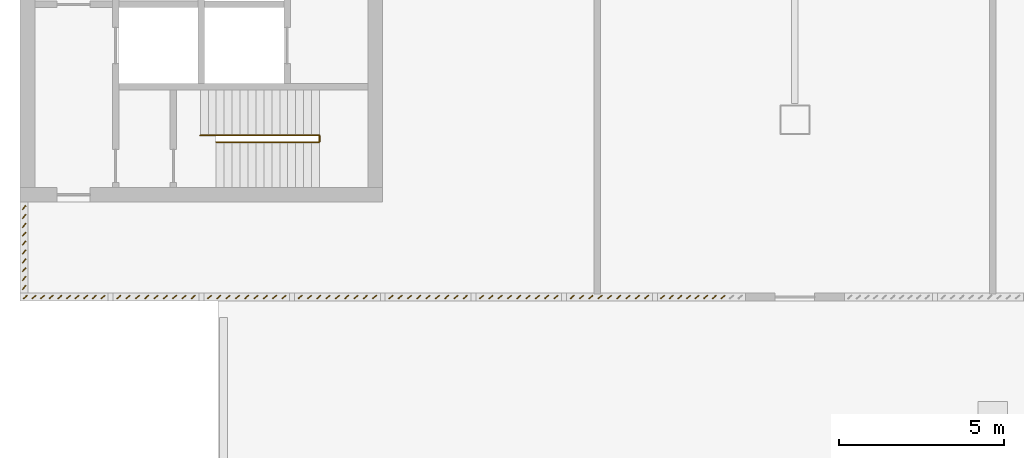
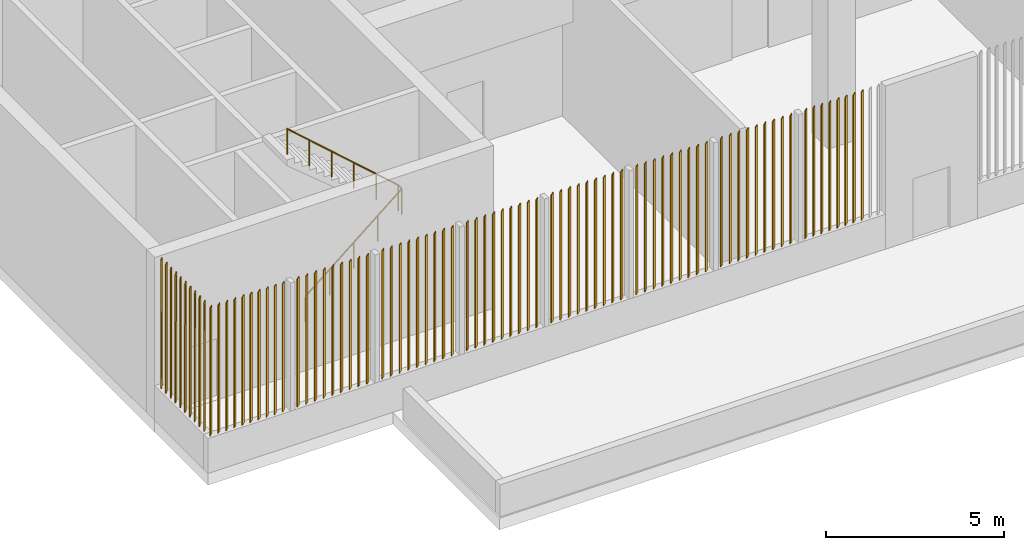
# One storey, part 4 of 9: 82 shading devices, 1 railing.
"""IFC4 building model written with IfcOpenShell, lengths in metres."""

import ifcopenshell
import ifcopenshell.guid

model = None  # the IFC model being written
_history = None  # IfcOwnerHistory: only IFC2X3 demands one
_inside = {}  # id of a spatial element -> (the spatial element, [elements in it])
_under = {}  # id of a project, library or spatial element -> (it, [spatial elements below it])
_declared = {}  # id of a project -> (the project, [libraries it declares])
_typed = {}  # id of a type object -> (the type object, [elements of that type])
_made_of = {}  # id of a material, layer set ... -> (it, [elements and type objects made of it])


def new_model(schema):
    """Start an empty IFC model of exactly this schema.

    Asked for "IFC4X3", IfcOpenShell would pick the latest addendum, in which some entities
    have other attributes; the version numbers below select the first issue.
    IFC2X3 requires an IfcOwnerHistory on every rooted entity: one is made here for all.
    """
    global model, _history
    if schema == "IFC4X3":
        model = ifcopenshell.file(schema_version=(4, 3, 0, 0))
    else:
        model = ifcopenshell.file(schema=schema)
    _inside.clear()
    _under.clear()
    _declared.clear()
    _typed.clear()
    _made_of.clear()
    _history = None
    if model.schema == "IFC2X3":
        org = make("IfcOrganization", Name="unknown")
        user = make(
            "IfcPersonAndOrganization",
            ThePerson=make("IfcPerson", FamilyName="unknown"),
            TheOrganization=org,
        )
        app = make(
            "IfcApplication",
            ApplicationDeveloper=org,
            Version="unknown",
            ApplicationFullName="unknown",
            ApplicationIdentifier="unknown",
        )
        _history = make(
            "IfcOwnerHistory",
            OwningUser=user,
            OwningApplication=app,
            ChangeAction="ADDED",
            CreationDate=0,
        )
    return model


def make(cls, **values):
    """One entity of the class cls with the attributes given. An attribute that is None is left unset."""
    return model.create_entity(
        cls, **{name: value for name, value in values.items() if value is not None}
    )


def rooted(cls, **values):
    """An entity with a GlobalId (a new one), such as an element, a storey or a relation."""
    return make(cls, GlobalId=ifcopenshell.guid.new(), OwnerHistory=_history, **values)


def si_unit(unit_type, name, prefix=None):
    """IfcSIUnit, for example si_unit("LENGTHUNIT", "METRE", prefix="MILLI")."""
    return make("IfcSIUnit", UnitType=unit_type, Prefix=prefix, Name=name)


def assignment(units):
    """IfcUnitAssignment: the units of a project."""
    return None if units is None else make("IfcUnitAssignment", Units=units)


def point(xyz):
    """IfcCartesianPoint."""
    return None if xyz is None else make("IfcCartesianPoint", Coordinates=xyz)


def direction(xyz):
    """IfcDirection."""
    return None if xyz is None else make("IfcDirection", DirectionRatios=xyz)


def frame(location, z_axis=None, x_axis=None):
    """IfcAxis2Placement3D, a coordinate frame: its origin and axes. An axis left out is left unset."""
    return make(
        "IfcAxis2Placement3D",
        Location=point(location),
        Axis=direction(z_axis),
        RefDirection=direction(x_axis),
    )


def frame_2d(location, x_axis=None):
    """IfcAxis2Placement2D, a coordinate frame in the plane: its origin and x axis."""
    return make(
        "IfcAxis2Placement2D", Location=point(location), RefDirection=direction(x_axis)
    )


def origin():
    """The frame at (0, 0, 0) with its axes left unset."""
    return frame((0.0, 0.0, 0.0))


def origin_2d():
    """The frame at (0, 0) in the plane with its x axis left unset."""
    return frame_2d((0.0, 0.0))


def place(relative_to, where):
    """IfcLocalPlacement: puts the frame where relative to a parent placement (None: the world)."""
    return make(
        "IfcLocalPlacement", PlacementRelTo=relative_to, RelativePlacement=where
    )


def context(
    kind, dimensions, precision=None, world=None, true_north=None, identifier=None
):
    """IfcGeometricRepresentationContext, for example the 3D "Model" context."""
    return make(
        "IfcGeometricRepresentationContext",
        ContextIdentifier=identifier,
        ContextType=kind,
        CoordinateSpaceDimension=dimensions,
        Precision=precision,
        WorldCoordinateSystem=world,
        TrueNorth=true_north,
    )


def subcontext(parent, identifier, kind, view, scale=None):
    """IfcGeometricRepresentationSubContext, for example "Body" below "Model"."""
    return make(
        "IfcGeometricRepresentationSubContext",
        ContextIdentifier=identifier,
        ContextType=kind,
        ParentContext=parent,
        TargetScale=scale,
        TargetView=view,
    )


def project(units=None, contexts=None):
    """IfcProject with its units and contexts."""
    return rooted(
        "IfcProject",
        Name="project",
        RepresentationContexts=contexts,
        UnitsInContext=assignment(units),
    )


def spatial(cls, under=None, at=None, **own):
    """A site, building, storey or space (cls), placed at a placement, below another one or the project."""
    s = rooted(cls, ObjectPlacement=at, **own)
    if under is not None:
        _under.setdefault(under.id(), (under, []))[1].append(s)
    return s


def profile(cls, at=None, kind="AREA", **sizes):
    """A parametric profile (cls). Its sizes go by their IFC names, for example OverallWidth=200.0."""
    return make(cls, ProfileType=kind, Position=at, **sizes)


def rectangle(**sizes):
    """IfcRectangleProfileDef."""
    return profile("IfcRectangleProfileDef", **sizes)


def circle(**sizes):
    """IfcCircleProfileDef."""
    return profile("IfcCircleProfileDef", **sizes)


def extrude(swept, where, along, depth):
    """IfcExtrudedAreaSolid: the profile swept, set in the frame where, extruded along a direction by depth."""
    return make(
        "IfcExtrudedAreaSolid",
        SweptArea=swept,
        Position=where,
        ExtrudedDirection=direction(along),
        Depth=depth,
    )


def shape(context_of_items, identifier, shape_type, items):
    """IfcShapeRepresentation: the items that make up one representation, for example the "Body"."""
    return make(
        "IfcShapeRepresentation",
        ContextOfItems=context_of_items,
        RepresentationIdentifier=identifier,
        RepresentationType=shape_type,
        Items=items,
    )


def material(Name=None, Category=None):
    """IfcMaterial."""
    return make("IfcMaterial", Name=Name, Category=Category)


def material_profile(
    of_material, cross_section, Name=None, Category=None, Priority=None
):
    """IfcMaterialProfile: a cross section and its material."""
    return make(
        "IfcMaterialProfile",
        Name=Name,
        Material=of_material,
        Profile=cross_section,
        Priority=Priority,
        Category=Category,
    )


def profile_set(profiles, Name=None, composite=None):
    """IfcMaterialProfileSet."""
    return make(
        "IfcMaterialProfileSet",
        Name=Name,
        MaterialProfiles=profiles,
        CompositeProfile=composite,
    )


def made_of(thing, what):
    """Note that an element or type object is made of a material, layer set ...; save() writes the relation."""
    if what is not None:
        _made_of.setdefault(what.id(), (what, []))[1].append(thing)
    return thing


def type_object(cls, material=None, **own):
    """A type object (cls), such as IfcWallType, which elements share."""
    return made_of(rooted(cls, **own), material)


def element(
    cls,
    number,
    at=None,
    inside=None,
    cuts=None,
    type_object=None,
    material=None,
    context=None,
    identifier="Body",
    shape_type=None,
    held_by="IfcProductDefinitionShape",
    body=None,
    shapes=None,
    **own,
):
    """One element of the class cls, such as IfcWall. Its Tag is "e" and its number.

    at: its placement. inside: the storey or other place that contains it. cuts: it is an
    opening in that element (IfcRelVoidsElement). A single representation is given by context,
    identifier, shape_type and body (its items); several are given by shapes. held_by: the class
    of the entity that holds the representations. save() writes the other relations.
    """
    e = rooted(cls, Tag="e%d" % number, ObjectPlacement=at, **own)
    if body is not None:
        shapes = [shape(context, identifier, shape_type, body)]
    if shapes is not None:
        e.Representation = make(held_by, Representations=shapes)
    if inside is not None:
        _inside.setdefault(inside.id(), (inside, []))[1].append(e)
    if cuts is not None:
        rooted(
            "IfcRelVoidsElement", RelatingBuildingElement=cuts, RelatedOpeningElement=e
        )
    if type_object is not None:
        _typed.setdefault(type_object.id(), (type_object, []))[1].append(e)
    return made_of(e, material)


def aggregate(whole, parts):
    """IfcRelAggregates: a whole, such as a stair, and the parts it consists of."""
    return rooted("IfcRelAggregates", RelatingObject=whole, RelatedObjects=parts)


def save(model, path):
    """Write the relations noted so far, then the file.

    IfcRelAggregates (storeys below a building ...), IfcRelContainedInSpatialStructure (elements
    in a storey), IfcRelDefinesByType, IfcRelAssociatesMaterial and IfcRelDeclares: one each for
    every whole, place, type object, material and project.
    """
    for whole, parts in _under.values():
        aggregate(whole, parts)
    for where, things in _inside.values():
        rooted(
            "IfcRelContainedInSpatialStructure",
            RelatedElements=things,
            RelatingStructure=where,
        )
    for kind, things in _typed.values():
        rooted("IfcRelDefinesByType", RelatedObjects=things, RelatingType=kind)
    for what, things in _made_of.values():
        rooted("IfcRelAssociatesMaterial", RelatedObjects=things, RelatingMaterial=what)
    for by, libraries in _declared.values():
        rooted("IfcRelDeclares", RelatingContext=by, RelatedDefinitions=libraries)
    model.write(path)


model = new_model("IFC4")

# Units and contexts
model_context = context("Model", 3, precision=1e-05, world=origin(), true_north=direction((0.0, 1.0)))
body_context = subcontext(model_context, "Body", "Model", "MODEL_VIEW")
ifc_project = project(units=[si_unit("LENGTHUNIT", "METRE"), si_unit("AREAUNIT", "SQUARE_METRE"), si_unit("VOLUMEUNIT", "CUBIC_METRE"), si_unit("PLANEANGLEUNIT", "RADIAN"), si_unit("MASSUNIT", "GRAM", prefix="KILO")], contexts=[model_context])

# Site, building, storey
site_placement = place(None, origin())
site = spatial("IfcSite", under=ifc_project, at=site_placement, CompositionType="ELEMENT")
building_placement = place(site_placement, origin())
building = spatial("IfcBuilding", under=site, at=building_placement, Name="Kitamizu Gate Tower and Museum", CompositionType="ELEMENT")
storey_placement = place(building_placement, frame((0.0, 0.0, 283.35009765625)))
storey = spatial("IfcBuildingStorey", under=building, at=storey_placement, Name="L76", CompositionType="ELEMENT", Elevation=283.35009765625)

# Shading devices
ifc_material_1 = material(Name="Bronze anodised aluminium", Category="aluminium")
ifc_material_profile = material_profile(ifc_material_1, rectangle(XDim=0.14990234375, YDim=0.02490234375, at=origin_2d()), Name="AL 25x150")
ifc_profile_set = profile_set([ifc_material_profile], Name="Bronze anodised aluminium")
shading_device_type = type_object("IfcShadingDeviceType", Name="LOUVRE FIN LVF1 25x150", PredefinedType="JALOUSIE", material=ifc_profile_set)
for number, where, z_axis, x_axis, name in (
    (1, (12.66064453125, 18.625, 1.199951171875), (0.0, 0.0, 1.0), (0.766044443119, 0.642787609687, 0.0), "Louvre fin SA1-1"),
    (2, (12.92236328125, 18.625, 1.199951171875), (0.0, 0.0, 1.0), (0.766044443119, 0.642787609687, 0.0), "Louvre fin SA1-2"),
    (3, (13.183837890625, 18.625, 1.199951171875), (0.0, 0.0, 1.0), (0.766044443119, 0.642787609687, 0.0), "Louvre fin SA1-3"),
    (4, (13.4453125, 18.625, 1.199951171875), (0.0, 0.0, 1.0), (0.766044443119, 0.642787609687, 0.0), "Louvre fin SA1-4"),
    (5, (13.706787109375, 18.625, 1.199951171875), (0.0, 0.0, 1.0), (0.766044443119, 0.642787609687, 0.0), "Louvre fin SA1-5"),
    (6, (13.96826171875, 18.625, 1.199951171875), (0.0, 0.0, 1.0), (0.766044443119, 0.642787609687, 0.0), "Louvre fin SA1-6"),
    (7, (14.229736328125, 18.625, 1.199951171875), (0.0, 0.0, 1.0), (0.766044443119, 0.642787609687, 0.0), "Louvre fin SA1-7"),
    (8, (14.4912109375, 18.625, 1.199951171875), (0.0, 0.0, 1.0), (0.766044443119, 0.642787609687, 0.0), "Louvre fin SA1-8"),
    (9, (14.752685546875, 18.625, 1.199951171875), (0.0, 0.0, 1.0), (0.766044443119, 0.642787609687, 0.0), "Louvre fin SA1-9"),
    (10, (15.01416015625, 18.625, 1.199951171875), (0.0, 0.0, 1.0), (0.766044443119, 0.642787609687, 0.0), "Louvre fin SA1-10"),
    (11, (15.49609375, 18.625, 1.199951171875), (0.0, 0.0, 1.0), (0.766044443119, 0.642787609687, 0.0), "Louvre fin SA2-1"),
    (12, (15.7783203125, 18.625, 1.199951171875), (0.0, 0.0, 1.0), (0.766044443119, 0.642787609687, 0.0), "Louvre fin SA2-2"),
    (13, (16.060546875, 18.625, 1.199951171875), (0.0, 0.0, 1.0), (0.766044443119, 0.642787609687, 0.0), "Louvre fin SA2-3"),
    (14, (16.3427734375, 18.625, 1.199951171875), (0.0, 0.0, 1.0), (0.766044443119, 0.642787609687, 0.0), "Louvre fin SA2-4"),
    (15, (16.625, 18.625, 1.199951171875), (0.0, 0.0, 1.0), (0.766044443119, 0.642787609687, 0.0), "Louvre fin SA2-5"),
    (16, (16.9072265625, 18.625, 1.199951171875), (0.0, 0.0, 1.0), (0.766044443119, 0.642787609687, 0.0), "Louvre fin SA2-6"),
    (17, (17.189453125, 18.625, 1.199951171875), (0.0, 0.0, 1.0), (0.766044443119, 0.642787609687, 0.0), "Louvre fin SA2-7"),
    (18, (17.4716796875, 18.625, 1.199951171875), (0.0, 0.0, 1.0), (0.766044443119, 0.642787609687, 0.0), "Louvre fin SA2-8"),
    (19, (17.75390625, 18.625, 1.199951171875), (0.0, 0.0, 1.0), (0.766044443119, 0.642787609687, 0.0), "Louvre fin SA2-9"),
    (20, (18.24609375, 18.625, 1.199951171875), (0.0, 0.0, 1.0), (0.766044443119, 0.642787609687, 0.0), "Louvre fin SA3-1"),
    (21, (18.5283203125, 18.625, 1.199951171875), (0.0, 0.0, 1.0), (0.766044443119, 0.642787609687, 0.0), "Louvre fin SA3-2"),
    (22, (18.810546875, 18.625, 1.199951171875), (0.0, 0.0, 1.0), (0.766044443119, 0.642787609687, 0.0), "Louvre fin SA3-3"),
    (23, (19.0927734375, 18.625, 1.199951171875), (0.0, 0.0, 1.0), (0.766044443119, 0.642787609687, 0.0), "Louvre fin SA3-4"),
    (24, (19.375, 18.625, 1.199951171875), (0.0, 0.0, 1.0), (0.766044443119, 0.642787609687, 0.0), "Louvre fin SA3-5"),
    (25, (19.6572265625, 18.625, 1.199951171875), (0.0, 0.0, 1.0), (0.766044443119, 0.642787609687, 0.0), "Louvre fin SA3-6"),
    (26, (19.939453125, 18.625, 1.199951171875), (0.0, 0.0, 1.0), (0.766044443119, 0.642787609687, 0.0), "Louvre fin SA3-7"),
    (27, (20.2216796875, 18.625, 1.199951171875), (0.0, 0.0, 1.0), (0.766044443119, 0.642787609687, 0.0), "Louvre fin SA3-8"),
    (28, (20.50390625, 18.625, 1.199951171875), (0.0, 0.0, 1.0), (0.766044443119, 0.642787609687, 0.0), "Louvre fin SA3-9"),
    (29, (20.99609375, 18.625, 1.199951171875), (0.0, 0.0, 1.0), (0.766044443119, 0.642787609687, 0.0), "Louvre fin SA4-1"),
    (30, (21.2783203125, 18.625, 1.199951171875), (0.0, 0.0, 1.0), (0.766044443119, 0.642787609687, 0.0), "Louvre fin SA4-2"),
    (31, (21.560546875, 18.625, 1.199951171875), (0.0, 0.0, 1.0), (0.766044443119, 0.642787609687, 0.0), "Louvre fin SA4-3"),
    (32, (21.8427734375, 18.625, 1.199951171875), (0.0, 0.0, 1.0), (0.766044443119, 0.642787609687, 0.0), "Louvre fin SA4-4"),
    (33, (22.125, 18.625, 1.199951171875), (0.0, 0.0, 1.0), (0.766044443119, 0.642787609687, 0.0), "Louvre fin SA4-5"),
    (34, (22.4072265625, 18.625, 1.199951171875), (0.0, 0.0, 1.0), (0.766044443119, 0.642787609687, 0.0), "Louvre fin SA4-6"),
    (35, (22.689453125, 18.625, 1.199951171875), (0.0, 0.0, 1.0), (0.766044443119, 0.642787609687, 0.0), "Louvre fin SA4-7"),
    (36, (22.9716796875, 18.625, 1.199951171875), (0.0, 0.0, 1.0), (0.766044443119, 0.642787609687, 0.0), "Louvre fin SA4-8"),
    (37, (23.25390625, 18.625, 1.199951171875), (0.0, 0.0, 1.0), (0.766044443119, 0.642787609687, 0.0), "Louvre fin SA4-9"),
    (38, (23.74609375, 18.625, 1.199951171875), (0.0, 0.0, 1.0), (0.766044443119, 0.642787609687, 0.0), "Louvre fin SA5-1"),
    (39, (24.0283203125, 18.625, 1.199951171875), (0.0, 0.0, 1.0), (0.766044443119, 0.642787609687, 0.0), "Louvre fin SA5-2"),
    (40, (24.310546875, 18.625, 1.199951171875), (0.0, 0.0, 1.0), (0.766044443119, 0.642787609687, 0.0), "Louvre fin SA5-3"),
    (41, (24.5927734375, 18.625, 1.199951171875), (0.0, 0.0, 1.0), (0.766044443119, 0.642787609687, 0.0), "Louvre fin SA5-4"),
    (42, (24.875, 18.625, 1.199951171875), (0.0, 0.0, 1.0), (0.766044443119, 0.642787609687, 0.0), "Louvre fin SA5-5"),
    (43, (25.1572265625, 18.625, 1.199951171875), (0.0, 0.0, 1.0), (0.766044443119, 0.642787609687, 0.0), "Louvre fin SA5-6"),
    (44, (25.439453125, 18.625, 1.199951171875), (0.0, 0.0, 1.0), (0.766044443119, 0.642787609687, 0.0), "Louvre fin SA5-7"),
    (45, (25.7216796875, 18.625, 1.199951171875), (0.0, 0.0, 1.0), (0.766044443119, 0.642787609687, 0.0), "Louvre fin SA5-8"),
    (46, (26.00390625, 18.625, 1.199951171875), (0.0, 0.0, 1.0), (0.766044443119, 0.642787609687, 0.0), "Louvre fin SA5-9"),
    (47, (26.49609375, 18.625, 1.199951171875), (0.0, 0.0, 1.0), (0.766044443119, 0.642787609687, 0.0), "Louvre fin SA6-1"),
    (48, (26.7783203125, 18.625, 1.199951171875), (0.0, 0.0, 1.0), (0.766044443119, 0.642787609687, 0.0), "Louvre fin SA6-2"),
    (49, (27.060546875, 18.625, 1.199951171875), (0.0, 0.0, 1.0), (0.766044443119, 0.642787609687, 0.0), "Louvre fin SA6-3"),
    (50, (27.3427734375, 18.625, 1.199951171875), (0.0, 0.0, 1.0), (0.766044443119, 0.642787609687, 0.0), "Louvre fin SA6-4"),
    (51, (27.625, 18.625, 1.199951171875), (0.0, 0.0, 1.0), (0.766044443119, 0.642787609687, 0.0), "Louvre fin SA6-5"),
    (52, (27.9072265625, 18.625, 1.199951171875), (0.0, 0.0, 1.0), (0.766044443119, 0.642787609687, 0.0), "Louvre fin SA6-6"),
    (53, (28.189453125, 18.625, 1.199951171875), (0.0, 0.0, 1.0), (0.766044443119, 0.642787609687, 0.0), "Louvre fin SA6-7"),
    (54, (28.4716796875, 18.625, 1.199951171875), (0.0, 0.0, 1.0), (0.766044443119, 0.642787609687, 0.0), "Louvre fin SA6-8"),
    (55, (28.75390625, 18.625, 1.199951171875), (0.0, 0.0, 1.0), (0.766044443119, 0.642787609687, 0.0), "Louvre fin SA6-9"),
    (56, (29.24609375, 18.625, 1.199951171875), (0.0, 0.0, 1.0), (0.766044443119, 0.642787609687, 0.0), "Louvre fin SA7-1"),
    (57, (29.5283203125, 18.625, 1.199951171875), (0.0, 0.0, 1.0), (0.766044443119, 0.642787609687, 0.0), "Louvre fin SA7-2"),
    (58, (29.810546875, 18.625, 1.199951171875), (0.0, 0.0, 1.0), (0.766044443119, 0.642787609687, 0.0), "Louvre fin SA7-3"),
    (59, (30.0927734375, 18.625, 1.199951171875), (0.0, 0.0, 1.0), (0.766044443119, 0.642787609687, 0.0), "Louvre fin SA7-4"),
    (60, (30.375, 18.625, 1.199951171875), (0.0, 0.0, 1.0), (0.766044443119, 0.642787609687, 0.0), "Louvre fin SA7-5"),
    (61, (30.6572265625, 18.625, 1.199951171875), (0.0, 0.0, 1.0), (0.766044443119, 0.642787609687, 0.0), "Louvre fin SA7-6"),
    (62, (30.939453125, 18.625, 1.199951171875), (0.0, 0.0, 1.0), (0.766044443119, 0.642787609687, 0.0), "Louvre fin SA7-7"),
    (63, (31.2216796875, 18.625, 1.199951171875), (0.0, 0.0, 1.0), (0.766044443119, 0.642787609687, 0.0), "Louvre fin SA7-8"),
    (64, (31.50390625, 18.625, 1.199951171875), (0.0, 0.0, 1.0), (0.766044443119, 0.642787609687, 0.0), "Louvre fin SA7-9"),
    (65, (31.98583984375, 18.625, 1.199951171875), (0.0, 0.0, 1.0), (0.766044443119, 0.642787609687, 0.0), "Louvre fin SA8-1"),
    (66, (32.247314453125, 18.625, 1.199951171875), (0.0, 0.0, 1.0), (0.766044443119, 0.642787609687, 0.0), "Louvre fin SA8-2"),
    (67, (32.5087890625, 18.625, 1.199951171875), (0.0, 0.0, 1.0), (0.766044443119, 0.642787609687, 0.0), "Louvre fin SA8-3"),
    (68, (32.770263671875, 18.625, 1.199951171875), (0.0, 0.0, 1.0), (0.766044443119, 0.642787609687, 0.0), "Louvre fin SA8-4"),
    (69, (33.03173828125, 18.625, 1.199951171875), (0.0, 0.0, 1.0), (0.766044443119, 0.642787609687, 0.0), "Louvre fin SA8-5"),
    (70, (33.293212890625, 18.625, 1.199951171875), (0.0, 0.0, 1.0), (0.766044443119, 0.642787609687, 0.0), "Louvre fin SA8-6"),
    (71, (33.5546875, 18.625, 1.199951171875), (0.0, 0.0, 1.0), (0.766044443119, 0.642787609687, 0.0), "Louvre fin SA8-7"),
    (72, (33.816162109375, 18.625, 1.199951171875), (0.0, 0.0, 1.0), (0.766044443119, 0.642787609687, 0.0), "Louvre fin SA8-8"),
    (73, (12.625, 18.91455078125, 1.199951171875), (0.0, 0.0, 1.0), (0.642787609687, 0.766044443119, 0.0), "Louvre fin WS1-1"),
    (74, (12.625, 19.18359375, 1.199951171875), (0.0, 0.0, 1.0), (0.642787609687, 0.766044443119, 0.0), "Louvre fin WS1-2"),
    (75, (12.625, 19.452392578125, 1.199951171875), (0.0, 0.0, 1.0), (0.642787609687, 0.766044443119, 0.0), "Louvre fin WS1-3"),
    (76, (12.625, 19.721435546875, 1.199951171875), (0.0, 0.0, 1.0), (0.642787609687, 0.766044443119, 0.0), "Louvre fin WS1-4"),
    (77, (12.625, 19.990478515625, 1.199951171875), (0.0, 0.0, 1.0), (0.642787609687, 0.766044443119, 0.0), "Louvre fin WS1-5"),
    (78, (12.625, 20.259521484375, 1.199951171875), (0.0, 0.0, 1.0), (0.642787609687, 0.766044443119, 0.0), "Louvre fin WS1-6"),
    (79, (12.625, 20.528564453125, 1.199951171875), (0.0, 0.0, 1.0), (0.642787609687, 0.766044443119, 0.0), "Louvre fin WS1-7"),
    (80, (12.625, 20.797607421875, 1.199951171875), (0.0, 0.0, 1.0), (0.642787609687, 0.766044443119, 0.0), "Louvre fin WS1-8"),
    (81, (12.625, 21.06640625, 1.199951171875), (0.0, 0.0, 1.0), (0.642787609687, 0.766044443119, 0.0), "Louvre fin WS1-9"),
    (82, (12.625, 21.33544921875, 1.199951171875), (0.0, 0.0, 1.0), (0.642787609687, 0.766044443119, 0.0), "Louvre fin WS1-10"),
):
    element("IfcShadingDevice", number, at=place(storey_placement, frame(where, z_axis=z_axis, x_axis=x_axis)), inside=storey, type_object=shading_device_type, Name=name, PredefinedType="JALOUSIE", context=body_context, shape_type="SweptSolid", body=[
        extrude(rectangle(XDim=0.14990234375, YDim=0.02490234375, at=origin_2d()), origin(), (0.0, 0.0, 1.0), 4.39990234375),
    ])

# Railing
ifc_material_2 = material(Name="Stainless steel SUS304", Category="steel")
railing_type = type_object("IfcRailingType", Name="Stair handrail 900", PredefinedType="HANDRAIL", material=ifc_material_2)
railing_placement = place(storey_placement, frame((18.449951171875, 23.324951171875, 0.199951171875)))
element("IfcRailing", 83, at=railing_placement, inside=storey, type_object=railing_type, Name="Stair handrail ST1", PredefinedType="HANDRAIL", context=body_context, shape_type="SweptSolid", body=[
    extrude(circle(Radius=0.02392578125, at=origin_2d()), frame((0.0, 0.0, 0.8759765625), z_axis=(0.769551662085, 0.0, 0.638584559304), x_axis=(0.0, 1.0, 0.0)), (0.0, 0.0, 1.0), 4.0712890625),
    extrude(circle(Radius=0.02392578125, at=origin_2d()), frame((3.133056640625, 0.0, 3.4755859375), z_axis=(0.0, 1.0, 0.0), x_axis=(-1.0, 0.0, 0.0)), (0.0, 0.0, 1.0), 0.199951171875),
    extrude(circle(Radius=0.02392578125, at=origin_2d()), frame((3.133056640625, 0.199951171875, 3.4755859375), z_axis=(-0.748758110737, 0.0, 0.66284333866), x_axis=(0.0, -1.0, 0.0)), (0.0, 0.0, 1.0), 4.827880859375),
    extrude(circle(Radius=0.02099609375, at=origin_2d()), origin(), (0.0, 0.0, 1.0), 0.851806640625),
    extrude(circle(Radius=0.02099609375, at=origin_2d()), frame((0.783203125, 0.0, 0.64990234375)), (0.0, 0.0, 1.0), 0.851806640625),
    extrude(circle(Radius=0.02099609375, at=origin_2d()), frame((1.56640625, 0.0, 1.2998046875)), (0.0, 0.0, 1.0), 0.851806640625),
    extrude(circle(Radius=0.02099609375, at=origin_2d()), frame((2.349853515625, 0.0, 1.949951171875)), (0.0, 0.0, 1.0), 0.851806640625),
    extrude(circle(Radius=0.02099609375, at=origin_2d()), frame((3.133056640625, 0.0, 2.599853515625)), (0.0, 0.0, 1.0), 0.851806640625),
    extrude(circle(Radius=0.02099609375, at=origin_2d()), frame((3.133056640625, 0.199951171875, 2.599853515625)), (0.0, 0.0, 1.0), 0.851806640625),
    extrude(circle(Radius=0.02099609375, at=origin_2d()), frame((2.41015625, 0.199951171875, 3.239990234375)), (0.0, 0.0, 1.0), 0.851806640625),
    extrude(circle(Radius=0.02099609375, at=origin_2d()), frame((1.68701171875, 0.199951171875, 3.8798828125)), (0.0, 0.0, 1.0), 0.851806640625),
    extrude(circle(Radius=0.02099609375, at=origin_2d()), frame((0.964111328125, 0.199951171875, 4.52001953125)), (0.0, 0.0, 1.0), 0.851806640625),
    extrude(circle(Radius=0.02099609375, at=origin_2d()), frame((0.240966796875, 0.199951171875, 5.159912109375)), (0.0, 0.0, 1.0), 0.851806640625),
    extrude(circle(Radius=0.02099609375, at=origin_2d()), frame((-0.48193359375, 0.199951171875, 5.800048828125)), (0.0, 0.0, 1.0), 0.851806640625),
])

save(model, "model.ifc")
